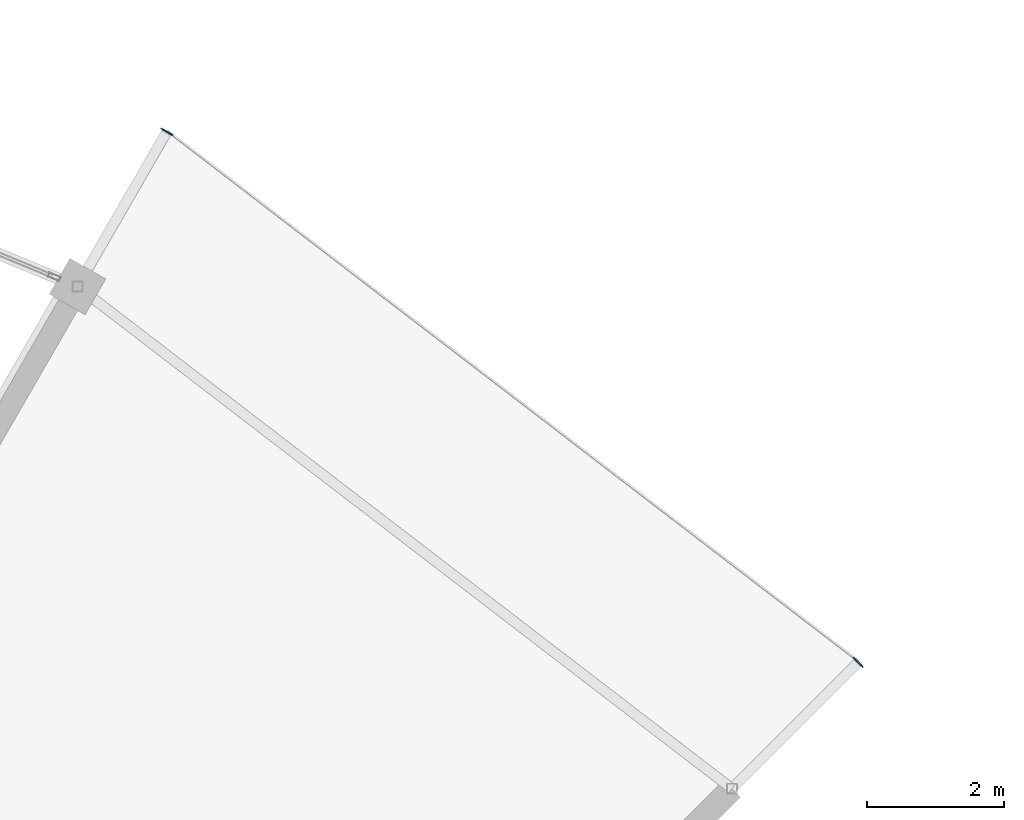
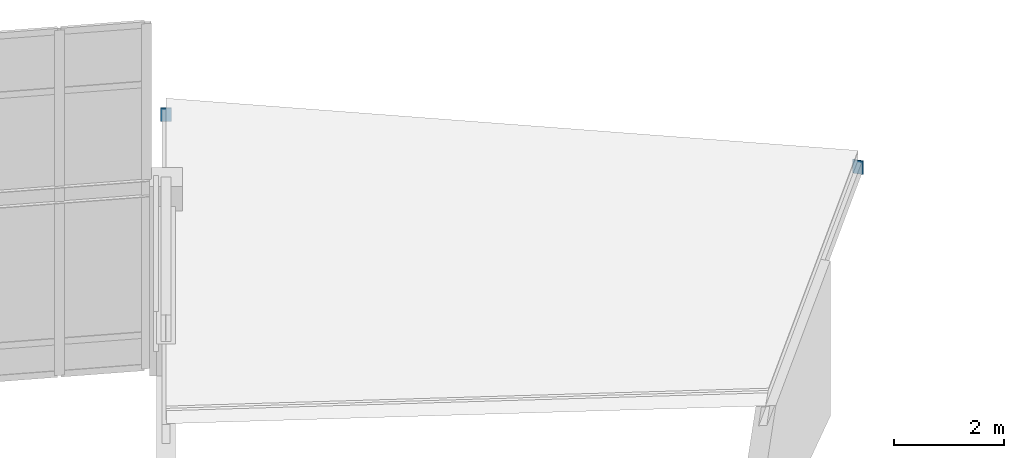
# One storey, part 78 of 93: 2 plates.
"""IFC4 building model written with IfcOpenShell, lengths in metres."""

from ifc_helpers import new_model, si_unit, direction, frame, origin, origin_2d, place, context, subcontext, project, spatial, rectangle, extrude, material, layer, layer_set, type_object, element, save


model = new_model("IFC4")

# Units and contexts
model_context = context("Model", 3, precision=1e-05, world=origin(), true_north=direction((0.0, 1.0)))
body_context = subcontext(model_context, "Body", "Model", "MODEL_VIEW")
ifc_project = project(units=[si_unit("LENGTHUNIT", "METRE"), si_unit("AREAUNIT", "SQUARE_METRE"), si_unit("VOLUMEUNIT", "CUBIC_METRE"), si_unit("PLANEANGLEUNIT", "RADIAN"), si_unit("MASSUNIT", "GRAM", prefix="KILO")], contexts=[model_context])

# Site, building, storey
site_placement = place(None, origin())
site = spatial("IfcSite", under=ifc_project, at=site_placement, CompositionType="ELEMENT")
building_placement = place(site_placement, origin())
building = spatial("IfcBuilding", under=site, at=building_placement, Name="Vondelvale Polytechnic", CompositionType="ELEMENT")
storey_placement = place(building_placement, frame((0.0, 0.0, 18.0)))
storey = spatial("IfcBuildingStorey", under=building, at=storey_placement, Name="L04", CompositionType="ELEMENT", Elevation=18.0)

# Plates
ifc_material = material(Name="Steel Grade 350 (fy = 340 MPa)", Category="steel")
ifc_layer = layer(ifc_material, 0.01611328125)
ifc_layer_set = layer_set([ifc_layer], Name="PLATE-CAP-300x200")
plate_type = type_object("IfcPlateType", Name="PLATE-CAP-300x200", PredefinedType="USERDEFINED", material=ifc_layer_set)
for number, where, z_axis, x_axis, name in (
    (1, (136.365478515625, 106.365478515625, 3.61572265625), (0.0, 0.0, 1.0), (-0.707106781187, -0.707106781187, 0.0), "Ring rafter hollow end cap plate 03O"),
    (2, (126.300048828125, 114.0888671875, 3.61572265625), (0.0, 0.0, 1.0), (-0.5, -0.866025403784, 0.0), "Ring step rafter end cap plate 03O"),
):
    element("IfcPlate", number, at=place(storey_placement, frame(where, z_axis=z_axis, x_axis=x_axis)), inside=storey, type_object=plate_type, Name=name, ObjectType="CAP_PLATE", PredefinedType="USERDEFINED", context=body_context, shape_type="SweptSolid", body=[
        extrude(rectangle(XDim=0.01611328125, YDim=0.199951171875, at=origin_2d()), origin(), (0.0, 0.0, 1.0), 0.300048828125),
    ])

save(model, "model.ifc")
